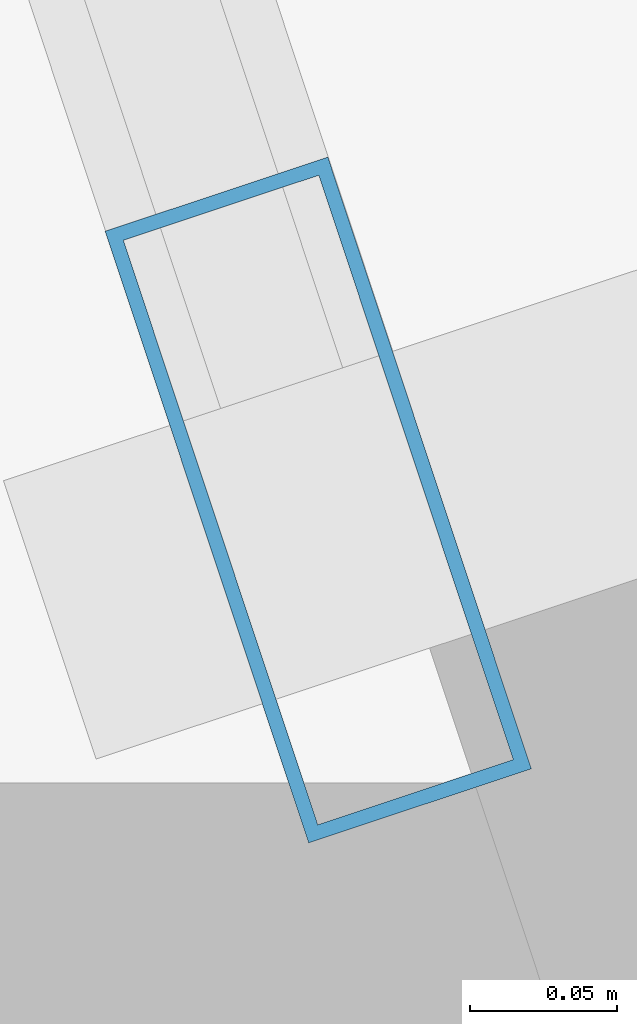
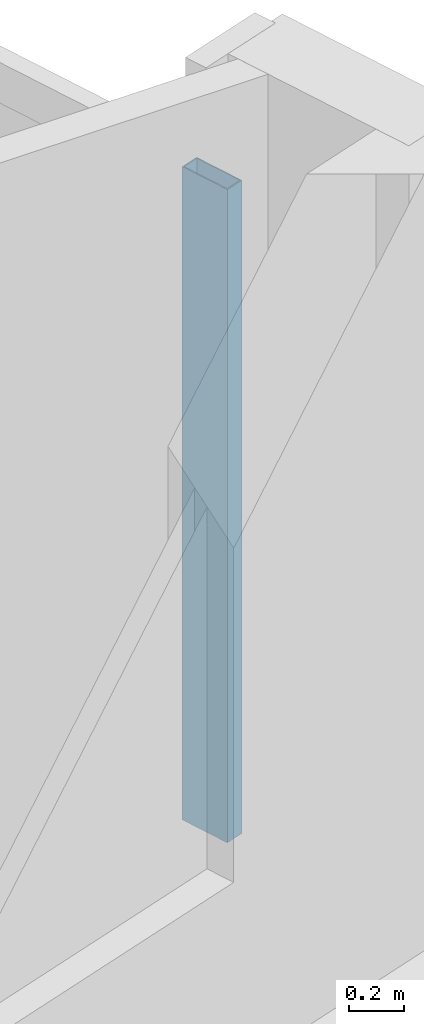
# One storey, part 12 of 34: 1 member, 1 element without a shape of its own.
"""IFC4 building model written with IfcOpenShell, lengths in metres."""

from ifc_helpers import new_model, si_unit, direction, frame, origin, origin_2d, place, context, subcontext, project, spatial, hollow_rectangle, extrude, material, material_profile, profile_set, type_object, element, aggregate, save


model = new_model("IFC4")

# Units and contexts
model_context = context("Model", 3, precision=1e-05, world=origin(), true_north=direction((0.0, 1.0)))
body_context = subcontext(model_context, "Body", "Model", "MODEL_VIEW")
ifc_project = project(units=[si_unit("LENGTHUNIT", "METRE"), si_unit("AREAUNIT", "SQUARE_METRE"), si_unit("VOLUMEUNIT", "CUBIC_METRE"), si_unit("PLANEANGLEUNIT", "RADIAN"), si_unit("MASSUNIT", "GRAM", prefix="KILO")], contexts=[model_context])

# Site, building, storey
site_placement = place(None, origin())
site = spatial("IfcSite", under=ifc_project, at=site_placement, CompositionType="ELEMENT")
building_placement = place(site_placement, origin())
building = spatial("IfcBuilding", under=site, at=building_placement, Name="Haldenkirk Collegiate Tower", CompositionType="ELEMENT")
storey_placement = place(building_placement, frame((0.0, 0.0, 90.449951171875)))
storey = spatial("IfcBuildingStorey", under=building, at=storey_placement, Name="L21", CompositionType="ELEMENT", Elevation=90.449951171875)

# Curtain wall, member
ifc_material = material(Name="Anodised architectural bronze aluminium", Category="aluminium")
curtain_wall_type = type_object("IfcCurtainWallType", Name="CW-SYS1-CONVEX-LOW", PredefinedType="USERDEFINED", material=ifc_material)
curtain_wall_placement = place(storey_placement, origin())
curtain_wall = element("IfcCurtainWall", 1, at=curtain_wall_placement, inside=storey, type_object=curtain_wall_type, Name="L21 Lower tower convex bronze-framed unitised curtain wall", ObjectType="UNITISED CURTAIN WALL", PredefinedType="USERDEFINED")
ifc_material_profile = material_profile(ifc_material, hollow_rectangle(XDim=0.080078125, YDim=0.219970703125, WallThickness=0.0048828125, at=origin_2d()), Name="CW-MUL-1A")
ifc_profile_set = profile_set([ifc_material_profile], Name="Anodised architectural bronze aluminium")
member_type = type_object("IfcMemberType", Name="CW-MUL-1A", PredefinedType="MULLION", material=ifc_profile_set)
member_placement = place(storey_placement, frame((66.7373046875, 15.716552734375, 0.0), z_axis=(0.0, 0.0, 1.0), x_axis=(0.948876521826, 0.315647503281, 0.0)))
member = element("IfcMember", 2, at=member_placement, type_object=member_type, Name="CW-1A mullion 5", PredefinedType="MULLION", context=body_context, shape_type="SweptSolid", body=[
    extrude(hollow_rectangle(XDim=0.080078125, YDim=0.219970703125, WallThickness=0.0048828125, at=origin_2d()), origin(), (0.0, 0.0, 1.0), 2.901123046875),
])
aggregate(curtain_wall, [member])

save(model, "model.ifc")
